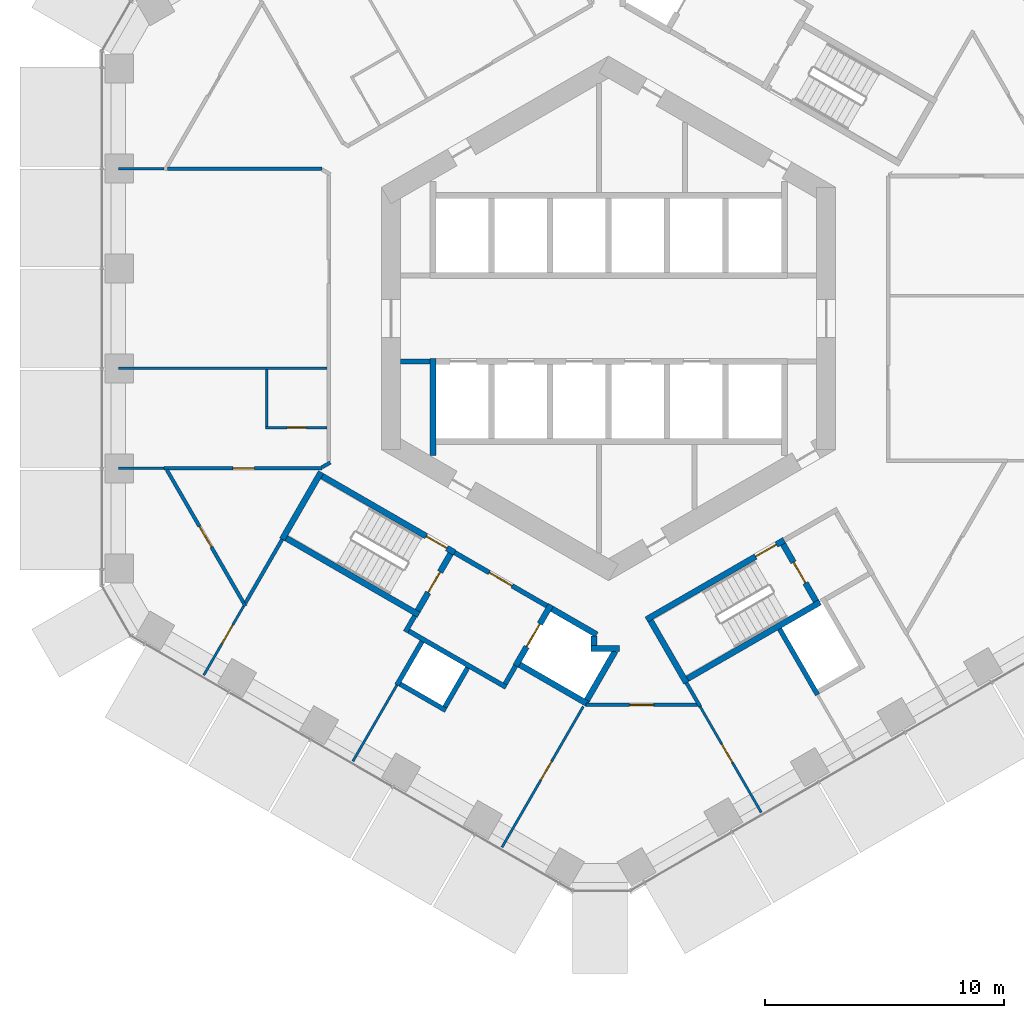
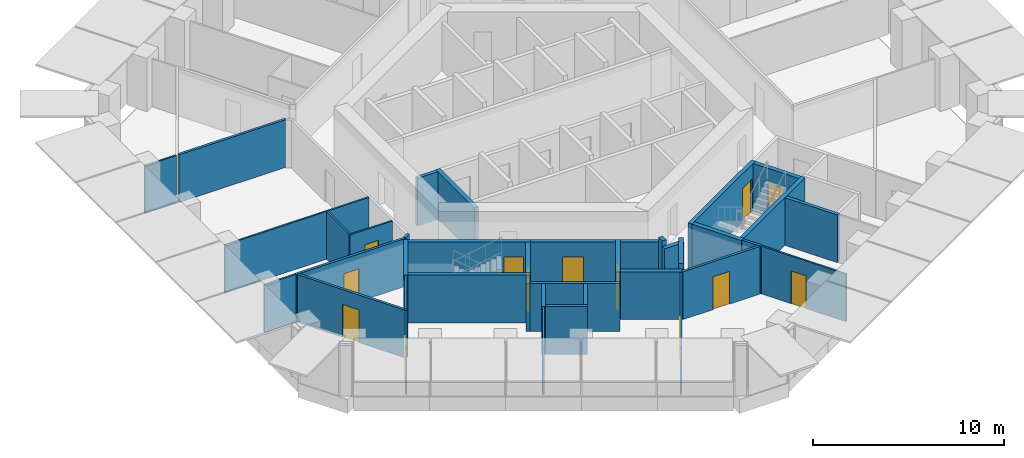
# One storey, part 12 of 19: 40 walls, 13 doors, 13 openings.
"""IFC4 building model written with IfcOpenShell, lengths in metres."""

from ifc_helpers import new_model, si_unit, direction, frame, frame_2d, origin, place, context, subcontext, project, spatial, rectangle, extrude, material, layer, layer_set, type_object, element, fill, save


model = new_model("IFC4")

# Units and contexts
model_context = context("Model", 3, precision=1e-05, world=origin(), true_north=direction((0.0, 1.0)))
body_context = subcontext(model_context, "Body", "Model", "MODEL_VIEW")
ifc_project = project(units=[si_unit("LENGTHUNIT", "METRE"), si_unit("AREAUNIT", "SQUARE_METRE"), si_unit("VOLUMEUNIT", "CUBIC_METRE"), si_unit("PLANEANGLEUNIT", "RADIAN"), si_unit("MASSUNIT", "GRAM", prefix="KILO")], contexts=[model_context])

# Site, building, storey
site_placement = place(None, origin())
site = spatial("IfcSite", under=ifc_project, at=site_placement, CompositionType="ELEMENT")
building_placement = place(site_placement, origin())
building = spatial("IfcBuilding", under=site, at=building_placement, Name="Ayvan Gate Tower", CompositionType="ELEMENT")
storey_placement = place(building_placement, frame((0.0, 0.0, 42.5)))
storey = spatial("IfcBuildingStorey", under=building, at=storey_placement, Name="L10", CompositionType="ELEMENT", Elevation=42.5)

# Wall, opening, door
ifc_material_1 = material(Name="Plasterboard on steel stud", Category="steel")
ifc_layer_1 = layer(ifc_material_1, 0.14990234375)
ifc_layer_set_1 = layer_set([ifc_layer_1], Name="Plasterboard on steel stud")
wall_type_1 = type_object("IfcWallType", Name="WT-CORR-150", PredefinedType="PARTITIONING", material=ifc_layer_set_1)
wall_1_placement = place(storey_placement, frame((-18.588134765625, -6.263671875, 0.0), z_axis=(0.0, 0.0, 1.0), x_axis=(1.0, 0.0, 0.0)))
wall_1 = element("IfcWall", 1, at=wall_1_placement, inside=storey, type_object=wall_type_1, Name="IW-L10-001", PredefinedType="PARTITIONING", context=body_context, shape_type="SweptSolid", body=[
    extrude(rectangle(XDim=6.6142578125, YDim=0.14990234375, at=frame_2d((3.30712890625, 0.0))), origin(), (0.0, 0.0, 1.0), 3.050048828125),
])
opening_1_placement = place(wall_1_placement, frame((2.87451171875, 0.0, 0.0)))
opening_1 = element("IfcOpeningElement", 2, at=opening_1_placement, cuts=wall_1, Name="Opening L10-D23", PredefinedType="OPENING", context=body_context, shape_type="SweptSolid", body=[
    extrude(rectangle(XDim=0.89990234375, YDim=2.10009765625, at=frame_2d((0.449951171875, 1.050048828125))), frame((0.0, 0.0849609375, 0.0), z_axis=(0.0, -1.0, 0.0), x_axis=(1.0, 0.0, 0.0)), (0.0, 0.0, 1.0), 0.169921875),
])
ifc_material_2 = material(Name="Timber door leaf", Category="wood")
door_type_1 = type_object("IfcDoorType", Name="DT-900", OperationType="NOTDEFINED", PredefinedType="DOOR", material=ifc_material_2)
door_1_placement = place(opening_1_placement, origin())
door_1 = element("IfcDoor", 3, at=door_1_placement, inside=storey, type_object=door_type_1, Name="ID-L10-023", OperationType="SINGLE_SWING_LEFT", OverallHeight=2.10009765625, OverallWidth=0.89990234375, PredefinedType="DOOR", context=body_context, shape_type="SweptSolid", body=[
    extrude(rectangle(XDim=0.89990234375, YDim=2.10009765625, at=frame_2d((0.449951171875, 1.050048828125))), frame((0.0, 0.02490234375, 0.0), z_axis=(0.0, -1.0, 0.0), x_axis=(1.0, 0.0, 0.0)), (0.0, 0.0, 1.0), 0.050048828125),
])
fill(opening_1, door_1)

wall_2_placement = place(storey_placement, frame((-15.18408203125, -12.029541015625, 0.0), z_axis=(0.0, 0.0, 1.0), x_axis=(-0.500008173903, 0.866020684528, 0.0)))
wall_2 = element("IfcWall", 4, at=wall_2_placement, inside=storey, type_object=wall_type_1, Name="IW-L10-005", PredefinedType="PARTITIONING", context=body_context, shape_type="SweptSolid", body=[
    extrude(rectangle(XDim=6.5830078125, YDim=0.14990234375, at=frame_2d((3.29150390625, 0.0))), origin(), (0.0, 0.0, 1.0), 3.050048828125),
])
opening_2_placement = place(wall_2_placement, frame((2.84619140625, 0.0, 0.0)))
opening_2 = element("IfcOpeningElement", 5, at=opening_2_placement, cuts=wall_2, Name="Opening L10-D25", PredefinedType="OPENING", context=body_context, shape_type="SweptSolid", body=[
    extrude(rectangle(XDim=1.0, YDim=2.10009765625, at=frame_2d((0.5, 1.050048828125))), frame((0.0, 0.0849609375, 0.0), z_axis=(0.0, -1.0, 0.0), x_axis=(1.0, 0.0, 0.0)), (0.0, 0.0, 1.0), 0.169921875),
])
door_type_2 = type_object("IfcDoorType", Name="DT-1000", OperationType="NOTDEFINED", PredefinedType="DOOR", material=ifc_material_2)
door_2_placement = place(opening_2_placement, origin())
door_2 = element("IfcDoor", 6, at=door_2_placement, inside=storey, type_object=door_type_2, Name="ID-L10-025", OperationType="SINGLE_SWING_LEFT", OverallHeight=2.10009765625, OverallWidth=1.0, PredefinedType="DOOR", context=body_context, shape_type="SweptSolid", body=[
    extrude(rectangle(XDim=1.0, YDim=2.10009765625, at=frame_2d((0.5, 1.050048828125))), frame((0.0, 0.02490234375, 0.0), z_axis=(0.0, -1.0, 0.0), x_axis=(1.0, 0.0, 0.0)), (0.0, 0.0, 1.0), 0.050048828125),
])
fill(opening_2, door_2)

# Walls
wall_3_placement = place(storey_placement, frame((-13.647705078125, -9.23876953125, 0.0), z_axis=(0.0, 0.0, 1.0), x_axis=(-0.500027377864, -0.86600959659, 0.0)))
element("IfcWall", 7, at=wall_3_placement, inside=storey, type_object=wall_type_1, Name="IW-L10-012", PredefinedType="PARTITIONING", context=body_context, shape_type="SweptSolid", body=[
    extrude(rectangle(XDim=3.072509765625, YDim=0.14990234375, at=frame_2d((1.5361328125, 0.0))), origin(), (0.0, 0.0, 1.0), 3.050048828125),
])
wall_4_placement = place(storey_placement, frame((-11.973876953125, 6.263671875, 0.0), z_axis=(0.0, 0.0, 1.0), x_axis=(-1.0, 0.0, 0.0)))
element("IfcWall", 8, at=wall_4_placement, inside=storey, type_object=wall_type_1, Name="IW-L10-014", PredefinedType="PARTITIONING", context=body_context, shape_type="SweptSolid", body=[
    extrude(rectangle(XDim=6.464111328125, YDim=0.14990234375, at=frame_2d((3.23193359375, 0.0))), origin(), (0.0, 0.0, 1.0), 3.050048828125),
])
wall_5_placement = place(storey_placement, frame((-11.98388671875, -6.22607421875, 0.0), z_axis=(0.0, 0.0, 1.0), x_axis=(0.866034203951, 0.499984757355, 0.0)))
element("IfcWall", 9, at=wall_5_placement, inside=storey, type_object=wall_type_1, Name="IW-L10-015", PredefinedType="PARTITIONING", context=body_context, shape_type="SweptSolid", body=[
    extrude(rectangle(XDim=0.40283203125, YDim=0.14990234375, at=frame_2d((0.201416015625, 0.0))), origin(), (0.0, 0.0, 1.0), 3.050048828125),
])
wall_6_placement = place(storey_placement, frame((3.255615234375, -15.23876953125, 0.0), z_axis=(0.0, 0.0, 1.0), x_axis=(0.500018023529, -0.866014997645, 0.0)))
element("IfcWall", 10, at=wall_6_placement, inside=storey, type_object=wall_type_1, Name="IW-L10-071", PredefinedType="PARTITIONING", context=body_context, shape_type="SweptSolid", body=[
    extrude(rectangle(XDim=1.14404296875, YDim=0.14990234375, at=frame_2d((0.572021484375, 0.0))), origin(), (0.0, 0.0, 1.0), 3.050048828125),
])

# Wall, opening, door
wall_7_placement = place(storey_placement, frame((3.715087890625, -16.16455078125, 0.0), z_axis=(0.0, 0.0, 1.0), x_axis=(-1.0, 0.0, 0.0)))
wall_7 = element("IfcWall", 11, at=wall_7_placement, inside=storey, type_object=wall_type_1, Name="IW-L10-075", PredefinedType="PARTITIONING", context=body_context, shape_type="SweptSolid", body=[
    extrude(rectangle(XDim=4.658935546875, YDim=0.14990234375, at=frame_2d((2.32958984375, 0.0))), origin(), (0.0, 0.0, 1.0), 3.050048828125),
])
opening_3_placement = place(wall_7_placement, frame((1.829345703125, 0.0, 0.0)))
opening_3 = element("IfcOpeningElement", 12, at=opening_3_placement, cuts=wall_7, Name="Opening L10-D27", PredefinedType="OPENING", context=body_context, shape_type="SweptSolid", body=[
    extrude(rectangle(XDim=1.0, YDim=2.10009765625, at=frame_2d((0.5, 1.050048828125))), frame((0.0, 0.0849609375, 0.0), z_axis=(0.0, -1.0, 0.0), x_axis=(1.0, 0.0, 0.0)), (0.0, 0.0, 1.0), 0.169921875),
])
door_3_placement = place(opening_3_placement, origin())
door_3 = element("IfcDoor", 13, at=door_3_placement, inside=storey, type_object=door_type_2, Name="ID-L10-027", OperationType="SINGLE_SWING_LEFT", OverallHeight=2.10009765625, OverallWidth=1.0, PredefinedType="DOOR", context=body_context, shape_type="SweptSolid", body=[
    extrude(rectangle(XDim=1.0, YDim=2.10009765625, at=frame_2d((0.5, 1.050048828125))), frame((0.0, 0.02490234375, 0.0), z_axis=(0.0, -1.0, 0.0), x_axis=(1.0, 0.0, 0.0)), (0.0, 0.0, 1.0), 0.050048828125),
])
fill(opening_3, door_3)

# Walls
ifc_layer_2 = layer(ifc_material_1, 0.10009765625)
ifc_layer_set_2 = layer_set([ifc_layer_2], Name="Plasterboard on steel stud")
wall_type_2 = type_object("IfcWallType", Name="WT-PART-100", PredefinedType="PARTITIONING", material=ifc_layer_set_2)
for number, where, z_axis, x_axis, name in (
    (14, (-18.588134765625, -6.263671875, 0.0), (0.0, 0.0, 1.0), (-1.0, 0.0, 0.0), "IW-L10-000"),
    (15, (-18.588134765625, 6.263671875, 0.0), (0.0, 0.0, 1.0), (-1.0, 0.0, 0.0), "IW-L10-002"),
):
    element("IfcWall", number, at=place(storey_placement, frame(where, z_axis=z_axis, x_axis=x_axis)), inside=storey, type_object=wall_type_2, Name=name, PredefinedType="PARTITIONING", context=body_context, shape_type="SweptSolid", body=[
        extrude(rectangle(XDim=1.899658203125, YDim=0.10009765625, at=frame_2d((0.94970703125, 0.0))), origin(), (0.0, 0.0, 1.0), 3.050048828125),
    ])

# Wall, opening, door
wall_8_placement = place(storey_placement, frame((-15.259033203125, -12.029541015625, 0.0), z_axis=(0.0, 0.0, 1.0), x_axis=(-0.500022544631, -0.866012387244, 0.0)))
wall_8 = element("IfcWall", 16, at=wall_8_placement, inside=storey, type_object=wall_type_2, Name="IW-L10-006", PredefinedType="PARTITIONING", context=body_context, shape_type="SweptSolid", body=[
    extrude(rectangle(XDim=3.333251953125, YDim=0.10009765625, at=frame_2d((1.66650390625, 0.0))), origin(), (0.0, 0.0, 1.0), 3.050048828125),
])
opening_4_placement = place(wall_8_placement, frame((0.918701171875, 0.0, 0.0)))
opening_4 = element("IfcOpeningElement", 17, at=opening_4_placement, cuts=wall_8, Name="Opening L10-D26", PredefinedType="OPENING", context=body_context, shape_type="SweptSolid", body=[
    extrude(rectangle(XDim=0.89990234375, YDim=2.10009765625, at=frame_2d((0.449951171875, 1.050048828125))), frame((0.0, 0.06005859375, 0.0), z_axis=(0.0, -1.0, 0.0), x_axis=(1.0, 0.0, 0.0)), (0.0, 0.0, 1.0), 0.1201171875),
])
door_4_placement = place(opening_4_placement, origin())
door_4 = element("IfcDoor", 18, at=door_4_placement, inside=storey, type_object=door_type_1, Name="ID-L10-026", OperationType="SINGLE_SWING_RIGHT", OverallHeight=2.10009765625, OverallWidth=0.89990234375, PredefinedType="DOOR", context=body_context, shape_type="SweptSolid", body=[
    extrude(rectangle(XDim=0.89990234375, YDim=2.10009765625, at=frame_2d((0.449951171875, 1.050048828125))), frame((0.0, 0.02490234375, 0.0), z_axis=(0.0, -1.0, 0.0), x_axis=(1.0, 0.0, 0.0)), (0.0, 0.0, 1.0), 0.050048828125),
])
fill(opening_4, door_4)

wall_9_placement = place(storey_placement, frame((-14.35009765625, -4.563720703125, 0.0), z_axis=(0.0, 0.0, 1.0), x_axis=(1.0, 0.0, 0.0)))
wall_9 = element("IfcWall", 19, at=wall_9_placement, inside=storey, type_object=wall_type_2, Name="IW-L10-008", PredefinedType="PARTITIONING", context=body_context, shape_type="SweptSolid", body=[
    extrude(rectangle(XDim=2.5751953125, YDim=0.10009765625, at=frame_2d((1.28759765625, 0.0))), origin(), (0.0, 0.0, 1.0), 3.050048828125),
])
opening_5_placement = place(wall_9_placement, frame((0.91259765625, 0.0, 0.0)))
opening_5 = element("IfcOpeningElement", 20, at=opening_5_placement, cuts=wall_9, Name="Opening L10-D24", PredefinedType="OPENING", context=body_context, shape_type="SweptSolid", body=[
    extrude(rectangle(XDim=0.800048828125, YDim=2.10009765625, at=frame_2d((0.39990234375, 1.050048828125))), frame((0.0, 0.06005859375, 0.0), z_axis=(0.0, -1.0, 0.0), x_axis=(1.0, 0.0, 0.0)), (0.0, 0.0, 1.0), 0.1201171875),
])
door_type_3 = type_object("IfcDoorType", Name="DT-800", OperationType="NOTDEFINED", PredefinedType="DOOR", material=ifc_material_2)
door_5_placement = place(opening_5_placement, origin())
door_5 = element("IfcDoor", 21, at=door_5_placement, inside=storey, type_object=door_type_3, Name="ID-L10-024", OperationType="SINGLE_SWING_RIGHT", OverallHeight=2.10009765625, OverallWidth=0.800048828125, PredefinedType="DOOR", context=body_context, shape_type="SweptSolid", body=[
    extrude(rectangle(XDim=0.800048828125, YDim=2.10009765625, at=frame_2d((0.39990234375, 1.050048828125))), frame((0.0, 0.02490234375, 0.0), z_axis=(0.0, -1.0, 0.0), x_axis=(1.0, 0.0, 0.0)), (0.0, 0.0, 1.0), 0.050048828125),
])
fill(opening_5, door_5)

# Walls
wall_10_placement = place(storey_placement, frame((-14.300048828125, -2.137939453125, 0.0), z_axis=(0.0, 0.0, 1.0), x_axis=(0.0, -1.0, 0.0)))
element("IfcWall", 22, at=wall_10_placement, inside=storey, type_object=wall_type_2, Name="IW-L10-009", PredefinedType="PARTITIONING", context=body_context, shape_type="SweptSolid", body=[
    extrude(rectangle(XDim=2.375732421875, YDim=0.10009765625, at=frame_2d((1.18798828125, 0.0))), origin(), (0.0, 0.0, 1.0), 3.050048828125),
])
wall_11_placement = place(storey_placement, frame((-20.48779296875, -2.087890625, 0.0), z_axis=(0.0, 0.0, 1.0), x_axis=(1.0, 0.0, 0.0)))
element("IfcWall", 23, at=wall_11_placement, inside=storey, type_object=wall_type_2, Name="IW-L10-010", PredefinedType="PARTITIONING", context=body_context, shape_type="SweptSolid", body=[
    extrude(rectangle(XDim=8.712890625, YDim=0.10009765625, at=frame_2d((4.3564453125, 0.0))), origin(), (0.0, 0.0, 1.0), 3.050048828125),
])
wall_12_placement = place(storey_placement, frame((-10.690185546875, -18.51611328125, 0.0), z_axis=(0.0, 0.0, 1.0), x_axis=(0.499955964762, 0.866050826049, 0.0)))
element("IfcWall", 24, at=wall_12_placement, inside=storey, type_object=wall_type_2, Name="IW-L10-027", PredefinedType="PARTITIONING", context=body_context, shape_type="SweptSolid", body=[
    extrude(rectangle(XDim=3.680419921875, YDim=0.10009765625, at=frame_2d((1.84033203125, 0.0))), origin(), (0.0, 0.0, 1.0), 3.050048828125),
])

# Wall, opening, door
wall_13_placement = place(storey_placement, frame((-4.454833984375, -22.1162109375, 0.0), z_axis=(0.0, 0.0, 1.0), x_axis=(0.499971184285, 0.866042039906, 0.0)))
wall_13 = element("IfcWall", 25, at=wall_13_placement, inside=storey, type_object=wall_type_2, Name="IW-L10-042", PredefinedType="PARTITIONING", context=body_context, shape_type="SweptSolid", body=[
    extrude(rectangle(XDim=6.79736328125, YDim=0.10009765625, at=frame_2d((3.398681640625, 0.0))), origin(), (0.0, 0.0, 1.0), 3.050048828125),
])
opening_6_placement = place(wall_13_placement, frame((3.24658203125, 0.0, 0.0)))
opening_6 = element("IfcOpeningElement", 26, at=opening_6_placement, cuts=wall_13, Name="Opening L10-D28", PredefinedType="OPENING", context=body_context, shape_type="SweptSolid", body=[
    extrude(rectangle(XDim=0.89990234375, YDim=2.10009765625, at=frame_2d((0.449951171875, 1.050048828125))), frame((0.0, 0.06005859375, 0.0), z_axis=(0.0, -1.0, 0.0), x_axis=(1.0, 0.0, 0.0)), (0.0, 0.0, 1.0), 0.1201171875),
])
door_6_placement = place(opening_6_placement, origin())
door_6 = element("IfcDoor", 27, at=door_6_placement, inside=storey, type_object=door_type_1, Name="ID-L10-028", OperationType="SINGLE_SWING_RIGHT", OverallHeight=2.10009765625, OverallWidth=0.89990234375, PredefinedType="DOOR", context=body_context, shape_type="SweptSolid", body=[
    extrude(rectangle(XDim=0.89990234375, YDim=2.10009765625, at=frame_2d((0.449951171875, 1.050048828125))), frame((0.0, 0.02490234375, 0.0), z_axis=(0.0, -1.0, 0.0), x_axis=(1.0, 0.0, 0.0)), (0.0, 0.0, 1.0), 0.050048828125),
])
fill(opening_6, door_6)

wall_14_placement = place(storey_placement, frame((3.82763671875, -16.2294921875, 0.0), z_axis=(0.0, 0.0, 1.0), x_axis=(0.499984131058, -0.866034565529, 0.0)))
wall_14 = element("IfcWall", 28, at=wall_14_placement, inside=storey, type_object=wall_type_2, Name="IW-L10-076", PredefinedType="PARTITIONING", context=body_context, shape_type="SweptSolid", body=[
    extrude(rectangle(XDim=5.114990234375, YDim=0.10009765625, at=frame_2d((2.5576171875, 0.0))), origin(), (0.0, 0.0, 1.0), 3.050048828125),
])
opening_7_placement = place(wall_14_placement, frame((1.8095703125, 0.0, 0.0)))
opening_7 = element("IfcOpeningElement", 29, at=opening_7_placement, cuts=wall_14, Name="Opening L10-D29", PredefinedType="OPENING", context=body_context, shape_type="SweptSolid", body=[
    extrude(rectangle(XDim=0.89990234375, YDim=2.10009765625, at=frame_2d((0.449951171875, 1.050048828125))), frame((0.0, 0.06005859375, 0.0), z_axis=(0.0, -1.0, 0.0), x_axis=(1.0, 0.0, 0.0)), (0.0, 0.0, 1.0), 0.1201171875),
])
door_7_placement = place(opening_7_placement, origin())
door_7 = element("IfcDoor", 30, at=door_7_placement, inside=storey, type_object=door_type_1, Name="ID-L10-029", OperationType="SINGLE_SWING_LEFT", OverallHeight=2.10009765625, OverallWidth=0.89990234375, PredefinedType="DOOR", context=body_context, shape_type="SweptSolid", body=[
    extrude(rectangle(XDim=0.89990234375, YDim=2.10009765625, at=frame_2d((0.449951171875, 1.050048828125))), frame((0.0, 0.02490234375, 0.0), z_axis=(0.0, -1.0, 0.0), x_axis=(1.0, 0.0, 0.0)), (0.0, 0.0, 1.0), 0.050048828125),
])
fill(opening_7, door_7)

# Walls
ifc_layer_3 = layer(ifc_material_1, 0.199951171875)
ifc_layer_set_3 = layer_set([ifc_layer_3], Name="Plasterboard on steel stud")
wall_type_3 = type_object("IfcWallType", Name="WT-PLUMB-200", PredefinedType="PLUMBINGWALL", material=ifc_layer_set_3)
wall_15_placement = place(storey_placement, frame((-8.85009765625, -15.32861328125, 0.0), z_axis=(0.0, 0.0, 1.0), x_axis=(0.500027713859, 0.866009402589, 0.0)))
element("IfcWall", 31, at=wall_15_placement, inside=storey, type_object=wall_type_3, Name="IW-L10-021", PredefinedType="PLUMBINGWALL", context=body_context, shape_type="SweptSolid", body=[
    extrude(rectangle(XDim=2.10009765625, YDim=0.199951171875, at=frame_2d((1.050048828125, 0.0))), origin(), (0.0, 0.0, 1.0), 3.050048828125),
])
wall_16_placement = place(storey_placement, frame((-6.80810546875, -16.39208984375, 0.0), z_axis=(0.0, 0.0, 1.0), x_axis=(-0.866008176907, 0.50002983664, 0.0)))
element("IfcWall", 32, at=wall_16_placement, inside=storey, type_object=wall_type_3, Name="IW-L10-034", PredefinedType="PLUMBINGWALL", context=body_context, shape_type="SweptSolid", body=[
    extrude(rectangle(XDim=2.199951171875, YDim=0.199951171875, at=frame_2d((1.10009765625, 0.0))), origin(), (0.0, 0.0, 1.0), 3.050048828125),
])
wall_17_placement = place(storey_placement, frame((-5.894775390625, -14.610107421875, 0.0), z_axis=(0.0, 0.0, 1.0), x_axis=(-0.500022797313, -0.86601224135, 0.0)))
element("IfcWall", 33, at=wall_17_placement, inside=storey, type_object=wall_type_3, Name="IW-L10-037", PredefinedType="PLUMBINGWALL", context=body_context, shape_type="SweptSolid", body=[
    extrude(rectangle(XDim=1.89990234375, YDim=0.199951171875, at=frame_2d((0.949951171875, 0.0))), origin(), (0.0, 0.0, 1.0), 3.050048828125),
])
wall_18_placement = place(storey_placement, frame((8.740234375, -15.738525390625, 0.0), z_axis=(0.0, 0.0, 1.0), x_axis=(-0.500017526161, 0.866015284814, 0.0)))
element("IfcWall", 34, at=wall_18_placement, inside=storey, type_object=wall_type_3, Name="IW-L10-093", PredefinedType="PLUMBINGWALL", context=body_context, shape_type="SweptSolid", body=[
    extrude(rectangle(XDim=3.17529296875, YDim=0.199951171875, at=frame_2d((1.587646484375, 0.0))), origin(), (0.0, 0.0, 1.0), 3.050048828125),
])
ifc_layer_4 = layer(ifc_material_1, 0.199951171875)
ifc_layer_set_4 = layer_set([ifc_layer_4], Name="Plasterboard on steel stud")
wall_type_4 = type_object("IfcWallType", Name="WT-RATED-200", PredefinedType="PARTITIONING", material=ifc_layer_set_4)
wall_19_placement = place(storey_placement, frame((-8.492919921875, -13.110107421875, 0.0), z_axis=(0.0, 0.0, 1.0), x_axis=(0.500067724834, 0.865986299303, 0.0)))
element("IfcWall", 35, at=wall_19_placement, inside=storey, type_object=wall_type_4, Name="IW-L10-025", PredefinedType="PARTITIONING", context=body_context, shape_type="SweptSolid", body=[
    extrude(rectangle(XDim=0.775390625, YDim=0.199951171875, at=frame_2d((0.3876953125, 0.0))), origin(), (0.0, 0.0, 1.0), 3.050048828125),
])
wall_20_placement = place(storey_placement, frame((-8.356201171875, -13.073486328125, 0.0), z_axis=(0.0, 0.0, 1.0), x_axis=(0.866038532462, -0.499977259774, 0.0)))
element("IfcWall", 36, at=wall_20_placement, inside=storey, type_object=wall_type_4, Name="IW-L10-028", PredefinedType="PARTITIONING", context=body_context, shape_type="SweptSolid", body=[
    extrude(rectangle(XDim=4.699951171875, YDim=0.199951171875, at=frame_2d((2.35009765625, 0.0))), origin(), (0.0, 0.0, 1.0), 3.050048828125),
])
wall_21_placement = place(storey_placement, frame((-7.474853515625, -1.800048828125, 0.0), z_axis=(0.0, 0.0, 1.0), x_axis=(-1.0, 0.0, 0.0)))
element("IfcWall", 37, at=wall_21_placement, inside=storey, type_object=wall_type_4, Name="IW-L10-033", PredefinedType="PARTITIONING", context=body_context, shape_type="SweptSolid", body=[
    extrude(rectangle(XDim=1.22509765625, YDim=0.199951171875, at=frame_2d((0.612548828125, 0.0))), origin(), (0.0, 0.0, 1.0), 3.050048828125),
])

# Wall, opening, door
wall_22_placement = place(storey_placement, frame((-6.4345703125, -9.794921875, 0.0), z_axis=(0.0, 0.0, 1.0), x_axis=(0.866012907634, -0.500021643343, 0.0)))
wall_22 = element("IfcWall", 38, at=wall_22_placement, inside=storey, type_object=wall_type_4, Name="IW-L10-036", PredefinedType="PARTITIONING", context=body_context, shape_type="SweptSolid", body=[
    extrude(rectangle(XDim=4.449951171875, YDim=0.199951171875, at=frame_2d((2.22509765625, 0.0))), origin(), (0.0, 0.0, 1.0), 3.050048828125),
])
opening_8_placement = place(wall_22_placement, frame((1.675048828125, 0.0, 0.0)))
opening_8 = element("IfcOpeningElement", 39, at=opening_8_placement, cuts=wall_22, Name="Opening L10-D12", PredefinedType="OPENING", context=body_context, shape_type="SweptSolid", body=[
    extrude(rectangle(XDim=1.10009765625, YDim=2.10009765625, at=frame_2d((0.550048828125, 1.050048828125))), frame((0.0, 0.10986328125, 0.0), z_axis=(0.0, -1.0, 0.0), x_axis=(1.0, 0.0, 0.0)), (0.0, 0.0, 1.0), 0.219970703125),
])
door_type_4 = type_object("IfcDoorType", Name="DT-1100", OperationType="NOTDEFINED", PredefinedType="DOOR", material=ifc_material_2)
door_8_placement = place(opening_8_placement, origin())
door_8 = element("IfcDoor", 40, at=door_8_placement, inside=storey, type_object=door_type_4, Name="ID-L10-012", OperationType="SINGLE_SWING_RIGHT", OverallHeight=2.10009765625, OverallWidth=1.10009765625, PredefinedType="DOOR", context=body_context, shape_type="SweptSolid", body=[
    extrude(rectangle(XDim=1.10009765625, YDim=2.10009765625, at=frame_2d((0.550048828125, 1.050048828125))), frame((0.0, 0.02490234375, 0.0), z_axis=(0.0, -1.0, 0.0), x_axis=(1.0, 0.0, 0.0)), (0.0, 0.0, 1.0), 0.050048828125),
])
fill(opening_8, door_8)

# Walls
wall_23_placement = place(storey_placement, frame((-3.885009765625, -14.52880859375, 0.0), z_axis=(0.0, 0.0, 1.0), x_axis=(-0.499859285417, -0.866106630146, 0.0)))
element("IfcWall", 41, at=wall_23_placement, inside=storey, type_object=wall_type_4, Name="IW-L10-043", PredefinedType="PARTITIONING", context=body_context, shape_type="SweptSolid", body=[
    extrude(rectangle(XDim=0.875244140625, YDim=0.199951171875, at=frame_2d((0.4375, 0.0))), origin(), (0.0, 0.0, 1.0), 3.050048828125),
])
ifc_material_3 = material(Name="Concrete C50/60", Category="concrete")
ifc_layer_5 = layer(ifc_material_3, 0.25)
ifc_layer_set_5 = layer_set([ifc_layer_5], Name="Concrete C50/60")
wall_type_5 = type_object("IfcWallType", Name="WT-RC-250", PredefinedType="SHEAR", material=ifc_layer_set_5)
wall_24_placement = place(storey_placement, frame((-13.64794921875, -9.23876953125, 0.0), z_axis=(0.0, 0.0, 1.0), x_axis=(0.500017246033, 0.866015446554, 0.0)))
element("IfcWall", 42, at=wall_24_placement, inside=storey, type_object=wall_type_5, Name="IW-L10-011", PredefinedType="SHEAR", context=body_context, shape_type="SweptSolid", body=[
    extrude(rectangle(XDim=3.25, YDim=0.25, at=frame_2d((1.625, 0.0))), origin(), (0.0, 0.0, 1.0), 3.050048828125),
])

# Wall, opening, door
wall_25_placement = place(storey_placement, frame((-11.97705078125, -6.594970703125, 0.0), z_axis=(0.0, 0.0, 1.0), x_axis=(0.866025499775, -0.499999833739, 0.0)))
wall_25 = element("IfcWall", 43, at=wall_25_placement, inside=storey, type_object=wall_type_5, Name="IW-L10-013", PredefinedType="SHEAR", context=body_context, shape_type="SweptSolid", body=[
    extrude(rectangle(XDim=6.39990234375, YDim=0.25, at=frame_2d((3.199951171875, 0.0))), origin(), (0.0, 0.0, 1.0), 3.050048828125),
])
opening_9_placement = place(wall_25_placement, frame((5.02490234375, 0.0, 0.0)))
opening_9 = element("IfcOpeningElement", 44, at=opening_9_placement, cuts=wall_25, Name="Opening L10-D10", PredefinedType="OPENING", context=body_context, shape_type="SweptSolid", body=[
    extrude(rectangle(XDim=1.0, YDim=2.10009765625, at=frame_2d((0.5, 1.050048828125))), frame((0.0, 0.135009765625, 0.0), z_axis=(0.0, -1.0, 0.0), x_axis=(1.0, 0.0, 0.0)), (0.0, 0.0, 1.0), 0.27001953125),
])
door_9_placement = place(opening_9_placement, origin())
door_9 = element("IfcDoor", 45, at=door_9_placement, inside=storey, type_object=door_type_2, Name="ID-L10-010", OperationType="SINGLE_SWING_RIGHT", OverallHeight=2.10009765625, OverallWidth=1.0, PredefinedType="DOOR", context=body_context, shape_type="SweptSolid", body=[
    extrude(rectangle(XDim=1.0, YDim=2.10009765625, at=frame_2d((0.5, 1.050048828125))), frame((0.0, 0.02490234375, 0.0), z_axis=(0.0, -1.0, 0.0), x_axis=(1.0, 0.0, 0.0)), (0.0, 0.0, 1.0), 0.050048828125),
])
fill(opening_9, door_9)

# Walls
wall_26_placement = place(storey_placement, frame((-7.9345703125, -12.39306640625, 0.0), z_axis=(0.0, 0.0, 1.0), x_axis=(-0.866025499775, 0.499999833739, 0.0)))
element("IfcWall", 46, at=wall_26_placement, inside=storey, type_object=wall_type_5, Name="IW-L10-026", PredefinedType="SHEAR", context=body_context, shape_type="SweptSolid", body=[
    extrude(rectangle(XDim=6.39990234375, YDim=0.25, at=frame_2d((3.199951171875, 0.0))), origin(), (0.0, 0.0, 1.0), 3.050048828125),
])
wall_27_placement = place(storey_placement, frame((-7.35009765625, -5.730224609375, 0.0), z_axis=(0.0, 0.0, 1.0), x_axis=(0.0, 1.0, 0.0)))
element("IfcWall", 47, at=wall_27_placement, inside=storey, type_object=wall_type_5, Name="IW-L10-030", PredefinedType="SHEAR", context=body_context, shape_type="SweptSolid", body=[
    extrude(rectangle(XDim=4.05517578125, YDim=0.25, at=frame_2d((2.027587890625, 0.0))), origin(), (0.0, 0.0, 1.0), 3.050048828125),
])

# Wall, opening, door
wall_28_placement = place(storey_placement, frame((-6.605224609375, -9.8408203125, 0.0), z_axis=(0.0, 0.0, 1.0), x_axis=(-0.499996545922, -0.866027397988, 0.0)))
wall_28 = element("IfcWall", 48, at=wall_28_placement, inside=storey, type_object=wall_type_5, Name="IW-L10-035", PredefinedType="SHEAR", context=body_context, shape_type="SweptSolid", body=[
    extrude(rectangle(XDim=2.75, YDim=0.25, at=frame_2d((1.375, 0.0))), origin(), (0.0, 0.0, 1.0), 3.050048828125),
])
opening_10_placement = place(wall_28_placement, frame((0.875, 0.0, 0.0)))
opening_10 = element("IfcOpeningElement", 49, at=opening_10_placement, cuts=wall_28, Name="Opening L10-D11", PredefinedType="OPENING", context=body_context, shape_type="SweptSolid", body=[
    extrude(rectangle(XDim=1.0, YDim=2.10009765625, at=frame_2d((0.5, 1.050048828125))), frame((0.0, 0.135009765625, 0.0), z_axis=(0.0, -1.0, 0.0), x_axis=(1.0, 0.0, 0.0)), (0.0, 0.0, 1.0), 0.27001953125),
])
door_10_placement = place(opening_10_placement, origin())
door_10 = element("IfcDoor", 50, at=door_10_placement, inside=storey, type_object=door_type_2, Name="ID-L10-011", OperationType="SINGLE_SWING_LEFT", OverallHeight=2.10009765625, OverallWidth=1.0, PredefinedType="DOOR", context=body_context, shape_type="SweptSolid", body=[
    extrude(rectangle(XDim=1.0, YDim=2.10009765625, at=frame_2d((0.5, 1.050048828125))), frame((0.0, 0.02490234375, 0.0), z_axis=(0.0, -1.0, 0.0), x_axis=(1.0, 0.0, 0.0)), (0.0, 0.0, 1.0), 0.050048828125),
])
fill(opening_10, door_10)

wall_29_placement = place(storey_placement, frame((-2.409912109375, -11.97412109375, 0.0), z_axis=(0.0, 0.0, 1.0), x_axis=(-0.500001826776, -0.866024349092, 0.0)))
wall_29 = element("IfcWall", 51, at=wall_29_placement, inside=storey, type_object=wall_type_5, Name="IW-L10-047", PredefinedType="SHEAR", context=body_context, shape_type="SweptSolid", body=[
    extrude(rectangle(XDim=2.9501953125, YDim=0.25, at=frame_2d((1.47509765625, 0.0))), origin(), (0.0, 0.0, 1.0), 3.050048828125),
])
opening_11_placement = place(wall_29_placement, frame((0.925048828125, 0.0, 0.0)))
opening_11 = element("IfcOpeningElement", 52, at=opening_11_placement, cuts=wall_29, Name="Opening L10-LD-FF2", PredefinedType="OPENING", context=body_context, shape_type="SweptSolid", body=[
    extrude(rectangle(XDim=1.10009765625, YDim=2.10009765625, at=frame_2d((0.550048828125, 1.050048828125))), frame((0.0, 0.135009765625, 0.0), z_axis=(0.0, -1.0, 0.0), x_axis=(1.0, 0.0, 0.0)), (0.0, 0.0, 1.0), 0.27001953125),
])
ifc_material_4 = material(Name="Stainless steel landing door", Category="steel")
door_type_5 = type_object("IfcDoorType", Name="DT-LANDING-1100", OperationType="SLIDING_TO_LEFT", PredefinedType="DOOR", material=ifc_material_4)
door_11_placement = place(opening_11_placement, origin())
door_11 = element("IfcDoor", 53, at=door_11_placement, inside=storey, type_object=door_type_5, Name="ID-L10-013", OperationType="SLIDING_TO_LEFT", OverallHeight=2.10009765625, OverallWidth=1.10009765625, PredefinedType="DOOR", context=body_context, shape_type="SweptSolid", body=[
    extrude(rectangle(XDim=1.10009765625, YDim=2.10009765625, at=frame_2d((0.550048828125, 1.050048828125))), frame((0.0, 0.02490234375, 0.0), z_axis=(0.0, -1.0, 0.0), x_axis=(1.0, 0.0, 0.0)), (0.0, 0.0, 1.0), 0.050048828125),
])
fill(opening_11, door_11)

# Walls
wall_30_placement = place(storey_placement, frame((-2.3642578125, -12.14501953125, 0.0), z_axis=(0.0, 0.0, 1.0), x_axis=(0.86603892542, -0.499976579108, 0.0)))
element("IfcWall", 54, at=wall_30_placement, inside=storey, type_object=wall_type_5, Name="IW-L10-048", PredefinedType="SHEAR", context=body_context, shape_type="SweptSolid", body=[
    extrude(rectangle(XDim=2.162109375, YDim=0.25, at=frame_2d((1.0810546875, 0.0))), origin(), (0.0, 0.0, 1.0), 3.050048828125),
])
wall_31_placement = place(storey_placement, frame((-0.8564453125, -16.13330078125, 0.0), z_axis=(0.0, 0.0, 1.0), x_axis=(-0.866021716278, 0.500006386895, 0.0)))
element("IfcWall", 55, at=wall_31_placement, inside=storey, type_object=wall_type_5, Name="IW-L10-052", PredefinedType="SHEAR", context=body_context, shape_type="SweptSolid", body=[
    extrude(rectangle(XDim=3.2998046875, YDim=0.25, at=frame_2d((1.64990234375, 0.0))), origin(), (0.0, 0.0, 1.0), 3.050048828125),
])
wall_32_placement = place(storey_placement, frame((-0.72509765625, -13.81005859375, 0.0), z_axis=(0.0, 0.0, 1.0), x_axis=(1.0, 0.0, 0.0)))
element("IfcWall", 56, at=wall_32_placement, inside=storey, type_object=wall_type_5, Name="IW-L10-054", PredefinedType="SHEAR", context=body_context, shape_type="SweptSolid", body=[
    extrude(rectangle(XDim=1.190673828125, YDim=0.25, at=frame_2d((0.59521484375, 0.0))), origin(), (0.0, 0.0, 1.0), 3.050048828125),
])
wall_33_placement = place(storey_placement, frame((-0.60009765625, -13.28857421875, 0.0), z_axis=(0.0, 0.0, 1.0), x_axis=(0.0, -1.0, 0.0)))
element("IfcWall", 57, at=wall_33_placement, inside=storey, type_object=wall_type_5, Name="IW-L10-055", PredefinedType="SHEAR", context=body_context, shape_type="SweptSolid", body=[
    extrude(rectangle(XDim=0.396484375, YDim=0.25, at=frame_2d((0.1982421875, 0.0))), origin(), (0.0, 0.0, 1.0), 3.39990234375),
])
wall_34_placement = place(storey_placement, frame((0.278076171875, -13.918212890625, 0.0), z_axis=(0.0, 0.0, 1.0), x_axis=(-0.49998806882, -0.866032292145, 0.0)))
element("IfcWall", 58, at=wall_34_placement, inside=storey, type_object=wall_type_5, Name="IW-L10-061", PredefinedType="SHEAR", context=body_context, shape_type="SweptSolid", body=[
    extrude(rectangle(XDim=2.3603515625, YDim=0.25, at=frame_2d((1.18017578125, 0.0))), origin(), (0.0, 0.0, 1.0), 3.39990234375),
])

# Wall, opening, door
wall_35_placement = place(storey_placement, frame((1.584716796875, -12.594970703125, 0.0), z_axis=(0.0, 0.0, 1.0), x_axis=(0.866036417653, 0.499980922934, 0.0)))
wall_35 = element("IfcWall", 59, at=wall_35_placement, inside=storey, type_object=wall_type_5, Name="IW-L10-066", PredefinedType="SHEAR", context=body_context, shape_type="SweptSolid", body=[
    extrude(rectangle(XDim=6.650146484375, YDim=0.25, at=frame_2d((3.3251953125, 0.0))), origin(), (0.0, 0.0, 1.0), 3.050048828125),
])
opening_12_placement = place(wall_35_placement, frame((5.27490234375, 0.0, 0.0)))
opening_12 = element("IfcOpeningElement", 60, at=opening_12_placement, cuts=wall_35, Name="Opening L10-D14", PredefinedType="OPENING", context=body_context, shape_type="SweptSolid", body=[
    extrude(rectangle(XDim=1.0, YDim=2.10009765625, at=frame_2d((0.5, 1.050048828125))), frame((0.0, 0.135009765625, 0.0), z_axis=(0.0, -1.0, 0.0), x_axis=(1.0, 0.0, 0.0)), (0.0, 0.0, 1.0), 0.27001953125),
])
door_12_placement = place(opening_12_placement, origin())
door_12 = element("IfcDoor", 61, at=door_12_placement, inside=storey, type_object=door_type_2, Name="ID-L10-014", OperationType="SINGLE_SWING_RIGHT", OverallHeight=2.10009765625, OverallWidth=1.0, PredefinedType="DOOR", context=body_context, shape_type="SweptSolid", body=[
    extrude(rectangle(XDim=1.0, YDim=2.10009765625, at=frame_2d((0.5, 1.050048828125))), frame((0.0, 0.02490234375, 0.0), z_axis=(0.0, -1.0, 0.0), x_axis=(1.0, 0.0, 0.0)), (0.0, 0.0, 1.0), 0.050048828125),
])
fill(opening_12, door_12)

# Walls
wall_36_placement = place(storey_placement, frame((3.255615234375, -15.23876953125, 0.0), z_axis=(0.0, 0.0, 1.0), x_axis=(-0.50002537861, 0.866010750942, 0.0)))
element("IfcWall", 62, at=wall_36_placement, inside=storey, type_object=wall_type_5, Name="IW-L10-072", PredefinedType="SHEAR", context=body_context, shape_type="SweptSolid", body=[
    extrude(rectangle(XDim=2.999755859375, YDim=0.25, at=frame_2d((1.5, 0.0))), origin(), (0.0, 0.0, 1.0), 3.050048828125),
])
wall_37_placement = place(storey_placement, frame((3.30126953125, -15.068115234375, 0.0), z_axis=(0.0, 0.0, 1.0), x_axis=(0.866035036182, 0.499983315828, 0.0)))
element("IfcWall", 63, at=wall_37_placement, inside=storey, type_object=wall_type_5, Name="IW-L10-083", PredefinedType="SHEAR", context=body_context, shape_type="SweptSolid", body=[
    extrude(rectangle(XDim=6.400146484375, YDim=0.25, at=frame_2d((3.2001953125, 0.0))), origin(), (0.0, 0.0, 1.0), 3.050048828125),
])

# Wall, opening, door
wall_38_placement = place(storey_placement, frame((7.298095703125, -9.44091796875, 0.0), z_axis=(0.0, 0.0, 1.0), x_axis=(0.500034990121, -0.866005201286, 0.0)))
wall_38 = element("IfcWall", 64, at=wall_38_placement, inside=storey, type_object=wall_type_5, Name="IW-L10-084", PredefinedType="SHEAR", context=body_context, shape_type="SweptSolid", body=[
    extrude(rectangle(XDim=2.749755859375, YDim=0.25, at=frame_2d((1.375, 0.0))), origin(), (0.0, 0.0, 1.0), 3.050048828125),
])
opening_13_placement = place(wall_38_placement, frame((0.875, 0.0, 0.0)))
opening_13 = element("IfcOpeningElement", 65, at=opening_13_placement, cuts=wall_38, Name="Opening L10-D16", PredefinedType="OPENING", context=body_context, shape_type="SweptSolid", body=[
    extrude(rectangle(XDim=1.0, YDim=2.10009765625, at=frame_2d((0.5, 1.050048828125))), frame((0.0, 0.135009765625, 0.0), z_axis=(0.0, -1.0, 0.0), x_axis=(1.0, 0.0, 0.0)), (0.0, 0.0, 1.0), 0.27001953125),
])
door_13_placement = place(opening_13_placement, origin())
door_13 = element("IfcDoor", 66, at=door_13_placement, inside=storey, type_object=door_type_2, Name="ID-L10-016", OperationType="SINGLE_SWING_RIGHT", OverallHeight=2.10009765625, OverallWidth=1.0, PredefinedType="DOOR", context=body_context, shape_type="SweptSolid", body=[
    extrude(rectangle(XDim=1.0, YDim=2.10009765625, at=frame_2d((0.5, 1.050048828125))), frame((0.0, 0.02490234375, 0.0), z_axis=(0.0, -1.0, 0.0), x_axis=(1.0, 0.0, 0.0)), (0.0, 0.0, 1.0), 0.050048828125),
])
fill(opening_13, door_13)

save(model, "model.ifc")
